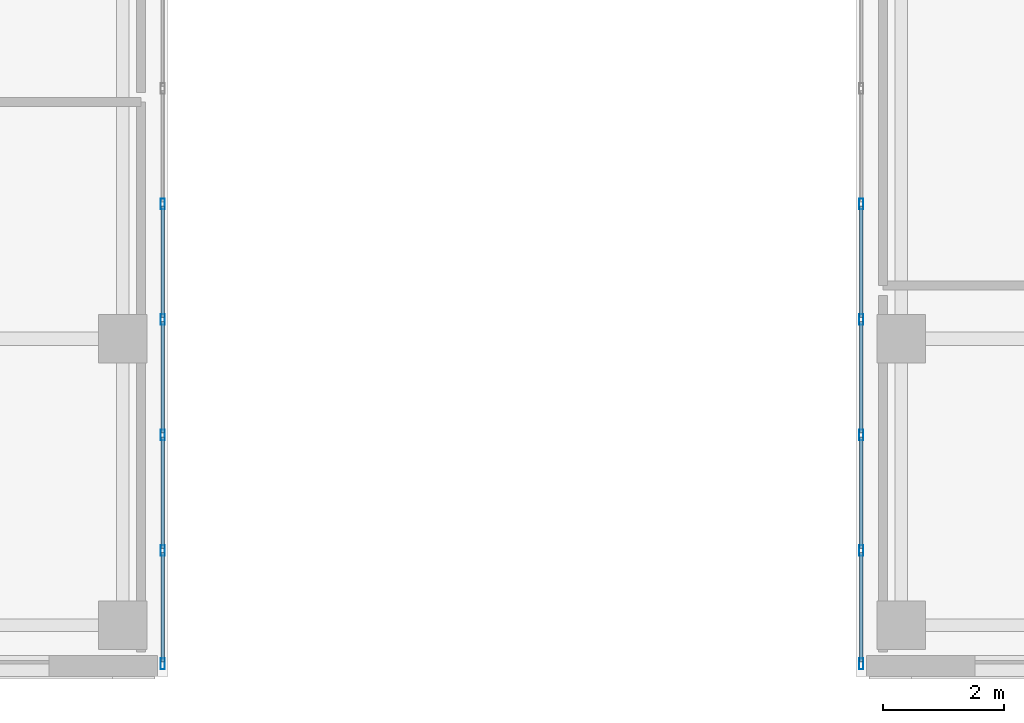
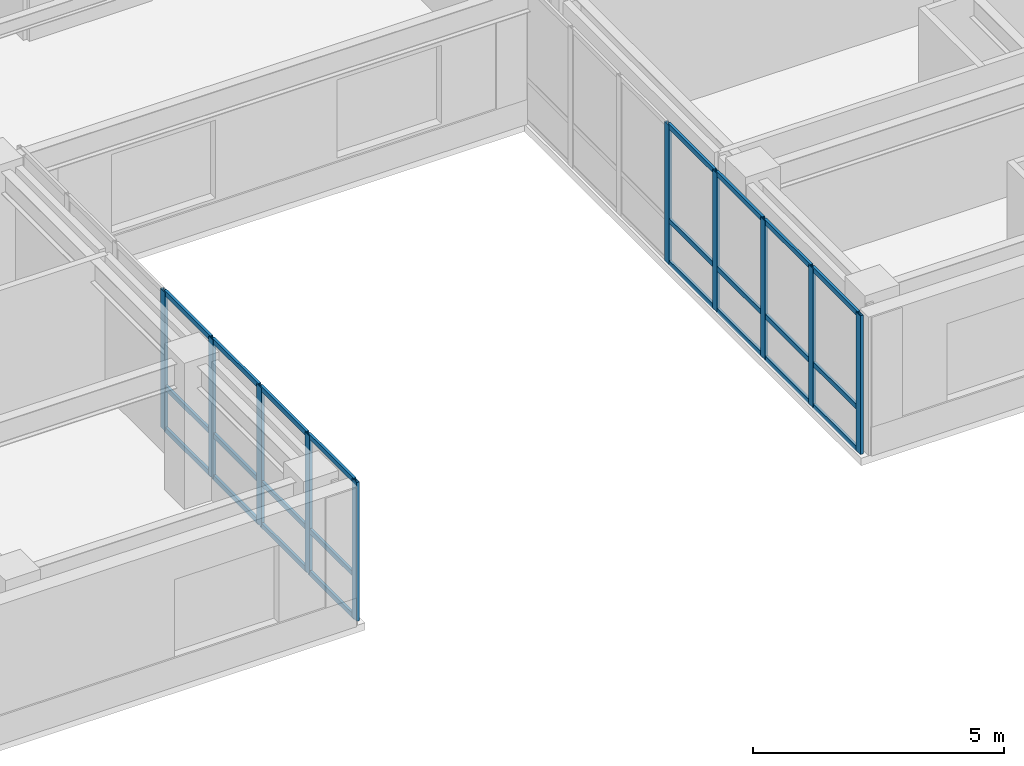
# One storey, part 7 of 28: 34 members, 2 elements without a shape of their own.
"""IFC4 building model written with IfcOpenShell, lengths in metres."""

from ifc_helpers import new_model, si_unit, direction, frame, origin, origin_2d, place, context, subcontext, project, spatial, hollow_rectangle, extrude, source, transform, mapped, material, layer, layer_set, material_profile, profile_set, type_object, type_shapes, element, aggregate, save


model = new_model("IFC4")

# Units and contexts
model_context = context("Model", 3, precision=1e-05, world=origin(), true_north=direction((0.0, 1.0)))
body_context = subcontext(model_context, "Body", "Model", "MODEL_VIEW")
ifc_project = project(units=[si_unit("LENGTHUNIT", "METRE"), si_unit("AREAUNIT", "SQUARE_METRE"), si_unit("VOLUMEUNIT", "CUBIC_METRE"), si_unit("PLANEANGLEUNIT", "RADIAN"), si_unit("MASSUNIT", "GRAM", prefix="KILO")], contexts=[model_context])

# Site, building, storey
site_placement = place(None, origin())
site = spatial("IfcSite", under=ifc_project, at=site_placement, CompositionType="ELEMENT")
building_placement = place(site_placement, origin())
building = spatial("IfcBuilding", under=site, at=building_placement, Name="Tolvann Quenvar Hotel", CompositionType="ELEMENT")
storey_placement = place(building_placement, frame((0.0, 0.0, 154.14990234375)))
storey = spatial("IfcBuildingStorey", under=building, at=storey_placement, Name="L40", CompositionType="ELEMENT", Elevation=154.14990234375)

# Curtain wall, members
ifc_material_1 = material(Name="Thermally broken anodised architectural aluminium 6063-T6 and laminated low-E glass", Category="aluminium")
ifc_layer = layer(ifc_material_1, 0.179931640625)
ifc_layer_set = layer_set([ifc_layer], Name="Thermally broken anodised architectural aluminium 6063-T6 and laminated low-E glass")
curtain_wall_type = type_object("IfcCurtainWallType", Name="CW_SYS_SLOT_03", PredefinedType="USERDEFINED", material=ifc_layer_set)
curtain_wall_1_placement = place(storey_placement, origin())
curtain_wall_1 = element("IfcCurtainWall", 1, at=curtain_wall_1_placement, inside=storey, type_object=curtain_wall_type, Name="Curtain Wall CW-SLOT-03 (CWR-L40-E05)", ObjectType="UNITISED CURTAIN WALL", PredefinedType="USERDEFINED")
ifc_material_2 = material(Name="Anodised architectural aluminium 6063-T6 framing", Category="aluminium")
ifc_material_profile_1 = material_profile(ifc_material_2, hollow_rectangle(XDim=0.070068359375, YDim=0.179931640625, WallThickness=0.00390625, at=origin_2d()), Name="180x70x4RHS")
ifc_profile_set_1 = profile_set([ifc_material_profile_1], Name="Anodised architectural aluminium 6063-T6 framing")
member_type_1 = type_object("IfcMemberType", Name="CW_MULL_180x70", PredefinedType="MULLION", material=ifc_profile_set_1)
shared_shape_1 = source(origin(), body_context, "Body", "SweptSolid", [
    extrude(hollow_rectangle(XDim=0.070068359375, YDim=0.179931640625, WallThickness=0.00390625, at=origin_2d()), origin(), (0.0, 0.0, 1.0), 3.3701171875),
])
type_shapes(member_type_1, [shared_shape_1])
member_1_placement = place(storey_placement, frame((22.7099609375, 2.81005859375, 0.0), z_axis=(0.0, 0.0, 1.0), x_axis=(-1.0, 0.0, 0.0)))
member_1 = element("IfcMember", 2, at=member_1_placement, type_object=member_type_1, Name="CW-SLOT-03 mullion 1", PredefinedType="MULLION", context=body_context, shape_type="MappedRepresentation", body=[
    mapped(shared_shape_1, transform((0.0, 0.0, 0.0), x_axis=(1.0, 0.0, 0.0), y_axis=(0.0, 1.0, 0.0), z_axis=(0.0, 0.0, 1.0), scale=1.0)),
])
member_2_placement = place(storey_placement, frame((22.7099609375, 4.689208984375, 0.0), z_axis=(0.0, 0.0, 1.0), x_axis=(-1.0, 0.0, 0.0)))
member_2 = element("IfcMember", 3, at=member_2_placement, type_object=member_type_1, Name="CW-SLOT-03 mullion 2", PredefinedType="MULLION", context=body_context, shape_type="MappedRepresentation", body=[
    mapped(shared_shape_1, transform((0.0, 0.0, 0.0), x_axis=(1.0, 0.0, 0.0), y_axis=(0.0, 1.0, 0.0), z_axis=(0.0, 0.0, 1.0), scale=1.0)),
])
member_3_placement = place(storey_placement, frame((22.7099609375, 6.603515625, 0.0), z_axis=(0.0, 0.0, 1.0), x_axis=(-1.0, 0.0, 0.0)))
member_3 = element("IfcMember", 4, at=member_3_placement, type_object=member_type_1, Name="CW-SLOT-03 mullion 3", PredefinedType="MULLION", context=body_context, shape_type="MappedRepresentation", body=[
    mapped(shared_shape_1, transform((0.0, 0.0, 0.0), x_axis=(1.0, 0.0, 0.0), y_axis=(0.0, 1.0, 0.0), z_axis=(0.0, 0.0, 1.0), scale=1.0)),
])
member_4_placement = place(storey_placement, frame((22.7099609375, 8.517822265625, 0.0), z_axis=(0.0, 0.0, 1.0), x_axis=(-1.0, 0.0, 0.0)))
member_4 = element("IfcMember", 5, at=member_4_placement, type_object=member_type_1, Name="CW-SLOT-03 mullion 4", PredefinedType="MULLION", context=body_context, shape_type="MappedRepresentation", body=[
    mapped(shared_shape_1, transform((0.0, 0.0, 0.0), x_axis=(1.0, 0.0, 0.0), y_axis=(0.0, 1.0, 0.0), z_axis=(0.0, 0.0, 1.0), scale=1.0)),
])
member_5_placement = place(storey_placement, frame((22.7099609375, 10.43212890625, 0.0), z_axis=(0.0, 0.0, 1.0), x_axis=(-1.0, 0.0, 0.0)))
member_5 = element("IfcMember", 6, at=member_5_placement, type_object=member_type_1, Name="CW-SLOT-03 mullion 5", PredefinedType="MULLION", context=body_context, shape_type="MappedRepresentation", body=[
    mapped(shared_shape_1, transform((0.0, 0.0, 0.0), x_axis=(1.0, 0.0, 0.0), y_axis=(0.0, 1.0, 0.0), z_axis=(0.0, 0.0, 1.0), scale=1.0)),
])

curtain_wall_2_placement = place(storey_placement, origin())
curtain_wall_2 = element("IfcCurtainWall", 7, at=curtain_wall_2_placement, inside=storey, type_object=curtain_wall_type, Name="Curtain Wall CW-SLOT-03 (CWR-L40-E07)", ObjectType="UNITISED CURTAIN WALL", PredefinedType="USERDEFINED")
member_6_placement = place(storey_placement, frame((34.2900390625, 10.43212890625, 0.0), z_axis=(0.0, 0.0, 1.0), x_axis=(1.0, 0.0, 0.0)))
member_6 = element("IfcMember", 8, at=member_6_placement, type_object=member_type_1, Name="CW-SLOT-03 mullion 4", PredefinedType="MULLION", context=body_context, shape_type="MappedRepresentation", body=[
    mapped(shared_shape_1, transform((0.0, 0.0, 0.0), x_axis=(1.0, 0.0, 0.0), y_axis=(0.0, 1.0, 0.0), z_axis=(0.0, 0.0, 1.0), scale=1.0)),
])
member_7_placement = place(storey_placement, frame((34.2900390625, 8.517822265625, 0.0), z_axis=(0.0, 0.0, 1.0), x_axis=(1.0, 0.0, 0.0)))
member_7 = element("IfcMember", 9, at=member_7_placement, type_object=member_type_1, Name="CW-SLOT-03 mullion 5", PredefinedType="MULLION", context=body_context, shape_type="MappedRepresentation", body=[
    mapped(shared_shape_1, transform((0.0, 0.0, 0.0), x_axis=(1.0, 0.0, 0.0), y_axis=(0.0, 1.0, 0.0), z_axis=(0.0, 0.0, 1.0), scale=1.0)),
])
member_8_placement = place(storey_placement, frame((34.2900390625, 6.603515625, 0.0), z_axis=(0.0, 0.0, 1.0), x_axis=(1.0, 0.0, 0.0)))
member_8 = element("IfcMember", 10, at=member_8_placement, type_object=member_type_1, Name="CW-SLOT-03 mullion 6", PredefinedType="MULLION", context=body_context, shape_type="MappedRepresentation", body=[
    mapped(shared_shape_1, transform((0.0, 0.0, 0.0), x_axis=(1.0, 0.0, 0.0), y_axis=(0.0, 1.0, 0.0), z_axis=(0.0, 0.0, 1.0), scale=1.0)),
])
member_9_placement = place(storey_placement, frame((34.2900390625, 4.689208984375, 0.0), z_axis=(0.0, 0.0, 1.0), x_axis=(1.0, 0.0, 0.0)))
member_9 = element("IfcMember", 11, at=member_9_placement, type_object=member_type_1, Name="CW-SLOT-03 mullion 7", PredefinedType="MULLION", context=body_context, shape_type="MappedRepresentation", body=[
    mapped(shared_shape_1, transform((0.0, 0.0, 0.0), x_axis=(1.0, 0.0, 0.0), y_axis=(0.0, 1.0, 0.0), z_axis=(0.0, 0.0, 1.0), scale=1.0)),
])
member_10_placement = place(storey_placement, frame((34.2900390625, 2.81005859375, 0.0), z_axis=(0.0, 0.0, 1.0), x_axis=(1.0, 0.0, 0.0)))
member_10 = element("IfcMember", 12, at=member_10_placement, type_object=member_type_1, Name="CW-SLOT-03 mullion 8", PredefinedType="MULLION", context=body_context, shape_type="MappedRepresentation", body=[
    mapped(shared_shape_1, transform((0.0, 0.0, 0.0), x_axis=(1.0, 0.0, 0.0), y_axis=(0.0, 1.0, 0.0), z_axis=(0.0, 0.0, 1.0), scale=1.0)),
])

# Member
ifc_material_profile_2 = material_profile(ifc_material_2, hollow_rectangle(XDim=0.06005859375, YDim=0.1201171875, WallThickness=0.00341796875, at=origin_2d()), Name="120x60x3.5RHS")
ifc_profile_set_2 = profile_set([ifc_material_profile_2], Name="Anodised architectural aluminium 6063-T6 framing")
member_type_2 = type_object("IfcMemberType", Name="CW_TRAN_120x60", PredefinedType="USERDEFINED", material=ifc_profile_set_2)
shared_shape_2 = source(origin(), body_context, "Body", "SweptSolid", [
    extrude(hollow_rectangle(XDim=0.06005859375, YDim=0.1201171875, WallThickness=0.00341796875, at=origin_2d()), origin(), (0.0, 0.0, 1.0), 1.809326171875),
])
member_11_placement = place(storey_placement, frame((22.7099609375, 2.844970703125, 0.030029296875), z_axis=(0.0, 1.0, 0.0), x_axis=(-1.0, 0.0, 0.0)))
member_11 = element("IfcMember", 13, at=member_11_placement, type_object=member_type_2, Name="CW-SLOT-03 transom 1.1", ObjectType="TRANSOM", PredefinedType="USERDEFINED", context=body_context, shape_type="MappedRepresentation", body=[
    mapped(shared_shape_2, transform((0.0, 0.0, 0.0), x_axis=(1.0, 0.0, 0.0), y_axis=(0.0, 1.0, 0.0), z_axis=(0.0, 0.0, 1.0), scale=1.0)),
])

member_12_placement = place(storey_placement, frame((22.7099609375, 2.844970703125, 1.050048828125), z_axis=(0.0, 1.0, 0.0), x_axis=(-1.0, 0.0, 0.0)))
member_12 = element("IfcMember", 14, at=member_12_placement, type_object=member_type_2, Name="CW-SLOT-03 transom 1.2", ObjectType="TRANSOM", PredefinedType="USERDEFINED", context=body_context, shape_type="MappedRepresentation", body=[
    mapped(shared_shape_2, transform((0.0, 0.0, 0.0), x_axis=(1.0, 0.0, 0.0), y_axis=(0.0, 1.0, 0.0), z_axis=(0.0, 0.0, 1.0), scale=1.0)),
])

member_13_placement = place(storey_placement, frame((22.7099609375, 2.844970703125, 3.340087890625), z_axis=(0.0, 1.0, 0.0), x_axis=(-1.0, 0.0, 0.0)))
member_13 = element("IfcMember", 15, at=member_13_placement, type_object=member_type_2, Name="CW-SLOT-03 transom 1.3", ObjectType="TRANSOM", PredefinedType="USERDEFINED", context=body_context, shape_type="MappedRepresentation", body=[
    mapped(shared_shape_2, transform((0.0, 0.0, 0.0), x_axis=(1.0, 0.0, 0.0), y_axis=(0.0, 1.0, 0.0), z_axis=(0.0, 0.0, 1.0), scale=1.0)),
])

member_14_placement = place(storey_placement, frame((34.2900390625, 4.654296875, 0.030029296875), z_axis=(0.0, -1.0, 0.0), x_axis=(1.0, 0.0, 0.0)))
member_14 = element("IfcMember", 16, at=member_14_placement, type_object=member_type_2, Name="CW-SLOT-03 transom 7.1", ObjectType="TRANSOM", PredefinedType="USERDEFINED", context=body_context, shape_type="MappedRepresentation", body=[
    mapped(shared_shape_2, transform((0.0, 0.0, 0.0), x_axis=(1.0, 0.0, 0.0), y_axis=(0.0, 1.0, 0.0), z_axis=(0.0, 0.0, 1.0), scale=1.0)),
])

member_15_placement = place(storey_placement, frame((34.2900390625, 4.654296875, 1.050048828125), z_axis=(0.0, -1.0, 0.0), x_axis=(1.0, 0.0, 0.0)))
member_15 = element("IfcMember", 17, at=member_15_placement, type_object=member_type_2, Name="CW-SLOT-03 transom 7.2", ObjectType="TRANSOM", PredefinedType="USERDEFINED", context=body_context, shape_type="MappedRepresentation", body=[
    mapped(shared_shape_2, transform((0.0, 0.0, 0.0), x_axis=(1.0, 0.0, 0.0), y_axis=(0.0, 1.0, 0.0), z_axis=(0.0, 0.0, 1.0), scale=1.0)),
])

member_16_placement = place(storey_placement, frame((34.2900390625, 4.654296875, 3.340087890625), z_axis=(0.0, -1.0, 0.0), x_axis=(1.0, 0.0, 0.0)))
member_16 = element("IfcMember", 18, at=member_16_placement, type_object=member_type_2, Name="CW-SLOT-03 transom 7.3", ObjectType="TRANSOM", PredefinedType="USERDEFINED", context=body_context, shape_type="MappedRepresentation", body=[
    mapped(shared_shape_2, transform((0.0, 0.0, 0.0), x_axis=(1.0, 0.0, 0.0), y_axis=(0.0, 1.0, 0.0), z_axis=(0.0, 0.0, 1.0), scale=1.0)),
])

shared_shape_3 = source(origin(), body_context, "Body", "SweptSolid", [
    extrude(hollow_rectangle(XDim=0.06005859375, YDim=0.1201171875, WallThickness=0.00341796875, at=origin_2d()), origin(), (0.0, 0.0, 1.0), 1.84423828125),
])
type_shapes(member_type_2, [shared_shape_2, shared_shape_3])
member_17_placement = place(storey_placement, frame((22.7099609375, 4.724365234375, 0.030029296875), z_axis=(0.0, 1.0, 0.0), x_axis=(-1.0, 0.0, 0.0)))
member_17 = element("IfcMember", 19, at=member_17_placement, type_object=member_type_2, Name="CW-SLOT-03 transom 2.1", ObjectType="TRANSOM", PredefinedType="USERDEFINED", context=body_context, shape_type="MappedRepresentation", body=[
    mapped(shared_shape_3, transform((0.0, 0.0, 0.0), x_axis=(1.0, 0.0, 0.0), y_axis=(0.0, 1.0, 0.0), z_axis=(0.0, 0.0, 1.0), scale=1.0)),
])

member_18_placement = place(storey_placement, frame((22.7099609375, 4.724365234375, 1.050048828125), z_axis=(0.0, 1.0, 0.0), x_axis=(-1.0, 0.0, 0.0)))
member_18 = element("IfcMember", 20, at=member_18_placement, type_object=member_type_2, Name="CW-SLOT-03 transom 2.2", ObjectType="TRANSOM", PredefinedType="USERDEFINED", context=body_context, shape_type="MappedRepresentation", body=[
    mapped(shared_shape_3, transform((0.0, 0.0, 0.0), x_axis=(1.0, 0.0, 0.0), y_axis=(0.0, 1.0, 0.0), z_axis=(0.0, 0.0, 1.0), scale=1.0)),
])

member_19_placement = place(storey_placement, frame((22.7099609375, 4.724365234375, 3.340087890625), z_axis=(0.0, 1.0, 0.0), x_axis=(-1.0, 0.0, 0.0)))
member_19 = element("IfcMember", 21, at=member_19_placement, type_object=member_type_2, Name="CW-SLOT-03 transom 2.3", ObjectType="TRANSOM", PredefinedType="USERDEFINED", context=body_context, shape_type="MappedRepresentation", body=[
    mapped(shared_shape_3, transform((0.0, 0.0, 0.0), x_axis=(1.0, 0.0, 0.0), y_axis=(0.0, 1.0, 0.0), z_axis=(0.0, 0.0, 1.0), scale=1.0)),
])

member_20_placement = place(storey_placement, frame((22.7099609375, 6.638671875, 0.030029296875), z_axis=(0.0, 1.0, 0.0), x_axis=(-1.0, 0.0, 0.0)))
member_20 = element("IfcMember", 22, at=member_20_placement, type_object=member_type_2, Name="CW-SLOT-03 transom 3.1", ObjectType="TRANSOM", PredefinedType="USERDEFINED", context=body_context, shape_type="MappedRepresentation", body=[
    mapped(shared_shape_3, transform((0.0, 0.0, 0.0), x_axis=(1.0, 0.0, 0.0), y_axis=(0.0, 1.0, 0.0), z_axis=(0.0, 0.0, 1.0), scale=1.0)),
])

member_21_placement = place(storey_placement, frame((22.7099609375, 6.638671875, 1.050048828125), z_axis=(0.0, 1.0, 0.0), x_axis=(-1.0, 0.0, 0.0)))
member_21 = element("IfcMember", 23, at=member_21_placement, type_object=member_type_2, Name="CW-SLOT-03 transom 3.2", ObjectType="TRANSOM", PredefinedType="USERDEFINED", context=body_context, shape_type="MappedRepresentation", body=[
    mapped(shared_shape_3, transform((0.0, 0.0, 0.0), x_axis=(1.0, 0.0, 0.0), y_axis=(0.0, 1.0, 0.0), z_axis=(0.0, 0.0, 1.0), scale=1.0)),
])

member_22_placement = place(storey_placement, frame((22.7099609375, 6.638671875, 3.340087890625), z_axis=(0.0, 1.0, 0.0), x_axis=(-1.0, 0.0, 0.0)))
member_22 = element("IfcMember", 24, at=member_22_placement, type_object=member_type_2, Name="CW-SLOT-03 transom 3.3", ObjectType="TRANSOM", PredefinedType="USERDEFINED", context=body_context, shape_type="MappedRepresentation", body=[
    mapped(shared_shape_3, transform((0.0, 0.0, 0.0), x_axis=(1.0, 0.0, 0.0), y_axis=(0.0, 1.0, 0.0), z_axis=(0.0, 0.0, 1.0), scale=1.0)),
])

member_23_placement = place(storey_placement, frame((22.7099609375, 8.552978515625, 0.030029296875), z_axis=(0.0, 1.0, 0.0), x_axis=(-1.0, 0.0, 0.0)))
member_23 = element("IfcMember", 25, at=member_23_placement, type_object=member_type_2, Name="CW-SLOT-03 transom 4.1", ObjectType="TRANSOM", PredefinedType="USERDEFINED", context=body_context, shape_type="MappedRepresentation", body=[
    mapped(shared_shape_3, transform((0.0, 0.0, 0.0), x_axis=(1.0, 0.0, 0.0), y_axis=(0.0, 1.0, 0.0), z_axis=(0.0, 0.0, 1.0), scale=1.0)),
])

member_24_placement = place(storey_placement, frame((22.7099609375, 8.552978515625, 1.050048828125), z_axis=(0.0, 1.0, 0.0), x_axis=(-1.0, 0.0, 0.0)))
member_24 = element("IfcMember", 26, at=member_24_placement, type_object=member_type_2, Name="CW-SLOT-03 transom 4.2", ObjectType="TRANSOM", PredefinedType="USERDEFINED", context=body_context, shape_type="MappedRepresentation", body=[
    mapped(shared_shape_3, transform((0.0, 0.0, 0.0), x_axis=(1.0, 0.0, 0.0), y_axis=(0.0, 1.0, 0.0), z_axis=(0.0, 0.0, 1.0), scale=1.0)),
])

member_25_placement = place(storey_placement, frame((22.7099609375, 8.552978515625, 3.340087890625), z_axis=(0.0, 1.0, 0.0), x_axis=(-1.0, 0.0, 0.0)))
member_25 = element("IfcMember", 27, at=member_25_placement, type_object=member_type_2, Name="CW-SLOT-03 transom 4.3", ObjectType="TRANSOM", PredefinedType="USERDEFINED", context=body_context, shape_type="MappedRepresentation", body=[
    mapped(shared_shape_3, transform((0.0, 0.0, 0.0), x_axis=(1.0, 0.0, 0.0), y_axis=(0.0, 1.0, 0.0), z_axis=(0.0, 0.0, 1.0), scale=1.0)),
])

aggregate(curtain_wall_1, [member_1, member_2, member_3, member_4, member_5, member_11, member_12, member_13, member_17, member_18, member_19, member_20, member_21, member_22, member_23, member_24, member_25])

member_26_placement = place(storey_placement, frame((34.2900390625, 10.397216796875, 0.030029296875), z_axis=(0.0, -1.0, 0.0), x_axis=(1.0, 0.0, 0.0)))
member_26 = element("IfcMember", 28, at=member_26_placement, type_object=member_type_2, Name="CW-SLOT-03 transom 4.1", ObjectType="TRANSOM", PredefinedType="USERDEFINED", context=body_context, shape_type="MappedRepresentation", body=[
    mapped(shared_shape_3, transform((0.0, 0.0, 0.0), x_axis=(1.0, 0.0, 0.0), y_axis=(0.0, 1.0, 0.0), z_axis=(0.0, 0.0, 1.0), scale=1.0)),
])

member_27_placement = place(storey_placement, frame((34.2900390625, 10.397216796875, 1.050048828125), z_axis=(0.0, -1.0, 0.0), x_axis=(1.0, 0.0, 0.0)))
member_27 = element("IfcMember", 29, at=member_27_placement, type_object=member_type_2, Name="CW-SLOT-03 transom 4.2", ObjectType="TRANSOM", PredefinedType="USERDEFINED", context=body_context, shape_type="MappedRepresentation", body=[
    mapped(shared_shape_3, transform((0.0, 0.0, 0.0), x_axis=(1.0, 0.0, 0.0), y_axis=(0.0, 1.0, 0.0), z_axis=(0.0, 0.0, 1.0), scale=1.0)),
])

member_28_placement = place(storey_placement, frame((34.2900390625, 10.397216796875, 3.340087890625), z_axis=(0.0, -1.0, 0.0), x_axis=(1.0, 0.0, 0.0)))
member_28 = element("IfcMember", 30, at=member_28_placement, type_object=member_type_2, Name="CW-SLOT-03 transom 4.3", ObjectType="TRANSOM", PredefinedType="USERDEFINED", context=body_context, shape_type="MappedRepresentation", body=[
    mapped(shared_shape_3, transform((0.0, 0.0, 0.0), x_axis=(1.0, 0.0, 0.0), y_axis=(0.0, 1.0, 0.0), z_axis=(0.0, 0.0, 1.0), scale=1.0)),
])

member_29_placement = place(storey_placement, frame((34.2900390625, 8.48291015625, 0.030029296875), z_axis=(0.0, -1.0, 0.0), x_axis=(1.0, 0.0, 0.0)))
member_29 = element("IfcMember", 31, at=member_29_placement, type_object=member_type_2, Name="CW-SLOT-03 transom 5.1", ObjectType="TRANSOM", PredefinedType="USERDEFINED", context=body_context, shape_type="MappedRepresentation", body=[
    mapped(shared_shape_3, transform((0.0, 0.0, 0.0), x_axis=(1.0, 0.0, 0.0), y_axis=(0.0, 1.0, 0.0), z_axis=(0.0, 0.0, 1.0), scale=1.0)),
])

member_30_placement = place(storey_placement, frame((34.2900390625, 8.48291015625, 1.050048828125), z_axis=(0.0, -1.0, 0.0), x_axis=(1.0, 0.0, 0.0)))
member_30 = element("IfcMember", 32, at=member_30_placement, type_object=member_type_2, Name="CW-SLOT-03 transom 5.2", ObjectType="TRANSOM", PredefinedType="USERDEFINED", context=body_context, shape_type="MappedRepresentation", body=[
    mapped(shared_shape_3, transform((0.0, 0.0, 0.0), x_axis=(1.0, 0.0, 0.0), y_axis=(0.0, 1.0, 0.0), z_axis=(0.0, 0.0, 1.0), scale=1.0)),
])

member_31_placement = place(storey_placement, frame((34.2900390625, 8.48291015625, 3.340087890625), z_axis=(0.0, -1.0, 0.0), x_axis=(1.0, 0.0, 0.0)))
member_31 = element("IfcMember", 33, at=member_31_placement, type_object=member_type_2, Name="CW-SLOT-03 transom 5.3", ObjectType="TRANSOM", PredefinedType="USERDEFINED", context=body_context, shape_type="MappedRepresentation", body=[
    mapped(shared_shape_3, transform((0.0, 0.0, 0.0), x_axis=(1.0, 0.0, 0.0), y_axis=(0.0, 1.0, 0.0), z_axis=(0.0, 0.0, 1.0), scale=1.0)),
])

member_32_placement = place(storey_placement, frame((34.2900390625, 6.568603515625, 0.030029296875), z_axis=(0.0, -1.0, 0.0), x_axis=(1.0, 0.0, 0.0)))
member_32 = element("IfcMember", 34, at=member_32_placement, type_object=member_type_2, Name="CW-SLOT-03 transom 6.1", ObjectType="TRANSOM", PredefinedType="USERDEFINED", context=body_context, shape_type="MappedRepresentation", body=[
    mapped(shared_shape_3, transform((0.0, 0.0, 0.0), x_axis=(1.0, 0.0, 0.0), y_axis=(0.0, 1.0, 0.0), z_axis=(0.0, 0.0, 1.0), scale=1.0)),
])

member_33_placement = place(storey_placement, frame((34.2900390625, 6.568603515625, 1.050048828125), z_axis=(0.0, -1.0, 0.0), x_axis=(1.0, 0.0, 0.0)))
member_33 = element("IfcMember", 35, at=member_33_placement, type_object=member_type_2, Name="CW-SLOT-03 transom 6.2", ObjectType="TRANSOM", PredefinedType="USERDEFINED", context=body_context, shape_type="MappedRepresentation", body=[
    mapped(shared_shape_3, transform((0.0, 0.0, 0.0), x_axis=(1.0, 0.0, 0.0), y_axis=(0.0, 1.0, 0.0), z_axis=(0.0, 0.0, 1.0), scale=1.0)),
])

member_34_placement = place(storey_placement, frame((34.2900390625, 6.568603515625, 3.340087890625), z_axis=(0.0, -1.0, 0.0), x_axis=(1.0, 0.0, 0.0)))
member_34 = element("IfcMember", 36, at=member_34_placement, type_object=member_type_2, Name="CW-SLOT-03 transom 6.3", ObjectType="TRANSOM", PredefinedType="USERDEFINED", context=body_context, shape_type="MappedRepresentation", body=[
    mapped(shared_shape_3, transform((0.0, 0.0, 0.0), x_axis=(1.0, 0.0, 0.0), y_axis=(0.0, 1.0, 0.0), z_axis=(0.0, 0.0, 1.0), scale=1.0)),
])

aggregate(curtain_wall_2, [member_6, member_7, member_8, member_9, member_10, member_26, member_27, member_28, member_29, member_30, member_31, member_32, member_33, member_34, member_14, member_15, member_16])

save(model, "model.ifc")
